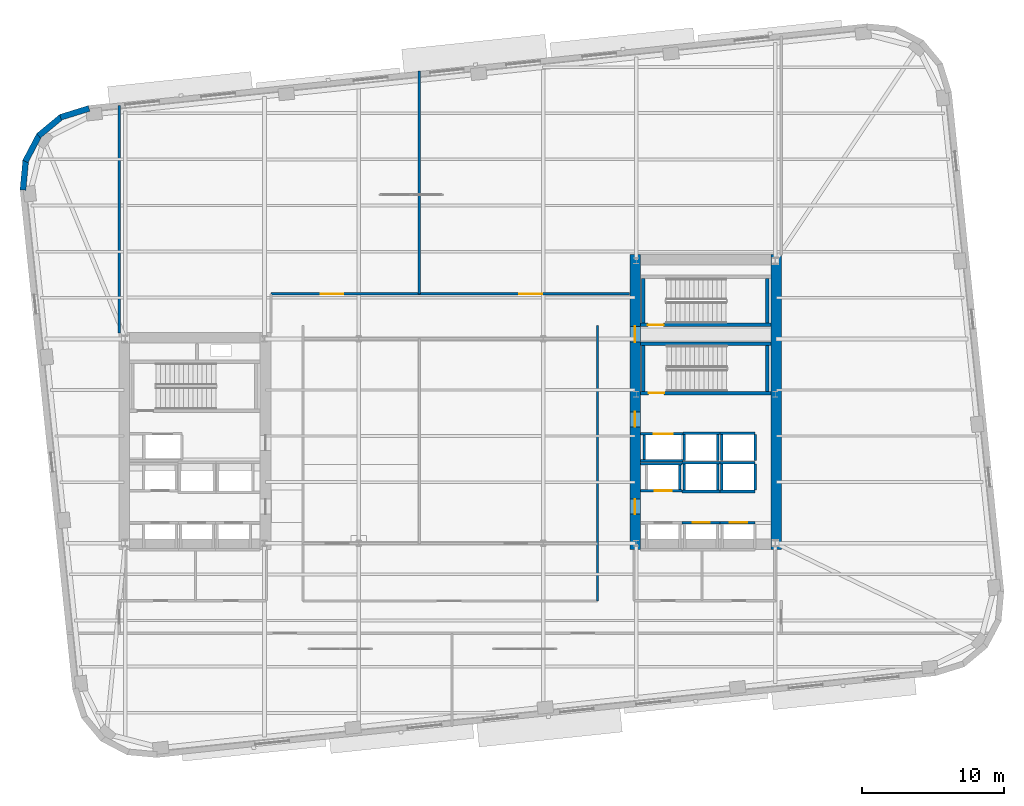
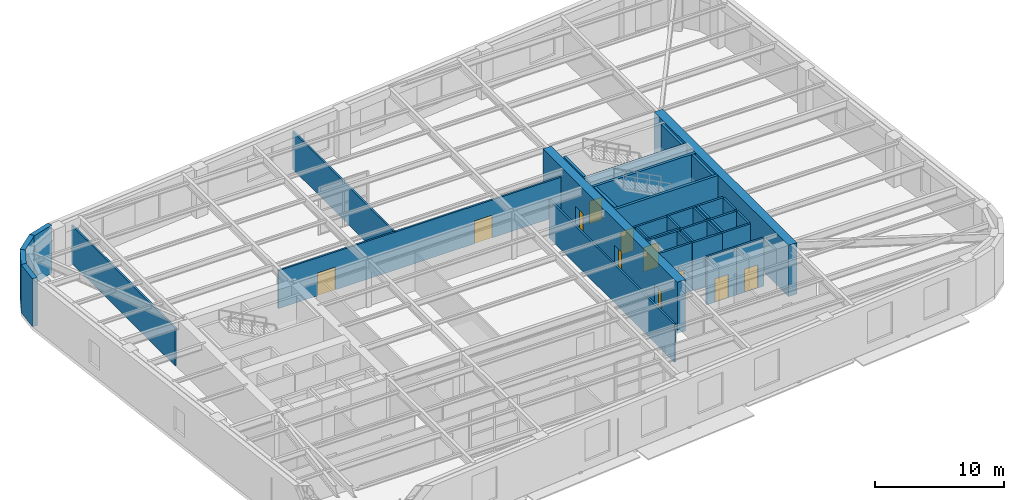
# One storey, part 9 of 14: 39 walls, 11 doors, 11 openings.
"""IFC4 building model written with IfcOpenShell, lengths in metres."""

from ifc_helpers import new_model, si_unit, direction, frame, frame_2d, origin, place, context, subcontext, project, spatial, rectangle, extrude, material, layer, layer_set, type_object, element, fill, save


model = new_model("IFC4")

# Units and contexts
model_context = context("Model", 3, precision=1e-05, world=origin(), true_north=direction((0.0, 1.0)))
body_context = subcontext(model_context, "Body", "Model", "MODEL_VIEW")
ifc_project = project(units=[si_unit("LENGTHUNIT", "METRE"), si_unit("AREAUNIT", "SQUARE_METRE"), si_unit("VOLUMEUNIT", "CUBIC_METRE"), si_unit("PLANEANGLEUNIT", "RADIAN"), si_unit("MASSUNIT", "GRAM", prefix="KILO")], contexts=[model_context])

# Site, building, storey
site_placement = place(None, origin())
site = spatial("IfcSite", under=ifc_project, at=site_placement, CompositionType="ELEMENT")
building_placement = place(site_placement, origin())
building = spatial("IfcBuilding", under=site, at=building_placement, Name="Kolvaren Arena Tower", CompositionType="ELEMENT")
storey_placement = place(building_placement, frame((0.0, 0.0, 125.949951171875)))
storey = spatial("IfcBuildingStorey", under=building, at=storey_placement, Name="L29", CompositionType="ELEMENT", Elevation=125.949951171875)

# Wall
ifc_material_1 = material(Name="Gypsum board acoustic assembly", Category="gypsum")
ifc_layer_1 = layer(ifc_material_1, 0.159912109375)
ifc_layer_set_1 = layer_set([ifc_layer_1], Name="Gypsum board acoustic assembly")
wall_type_1 = type_object("IfcWallType", Name="CORR-160", PredefinedType="PARTITIONING", material=ifc_layer_set_1)
wall_1_placement = place(storey_placement, frame((47.820068359375, 15.3798828125, 0.0), z_axis=(0.0, 0.0, 1.0), x_axis=(0.0, 1.0, 0.0)))
element("IfcWall", 1, at=wall_1_placement, inside=storey, type_object=wall_type_1, Name="Interior Partition Wall (L29)", PredefinedType="PARTITIONING", context=body_context, shape_type="SweptSolid", body=[
    extrude(rectangle(XDim=19.400146484375, YDim=0.159912109375, at=frame_2d((9.7001953125, 0.0))), origin(), (0.0, 0.0, 1.0), 3.590087890625),
])

# Wall, openings, doors
wall_2_placement = place(storey_placement, frame((24.820068359375, 37.02001953125, 0.0), z_axis=(0.0, 0.0, 1.0), x_axis=(1.0, 0.0, 0.0)))
wall_2 = element("IfcWall", 2, at=wall_2_placement, inside=storey, type_object=wall_type_1, Name="Interior Partition Wall (L29)", PredefinedType="PARTITIONING", context=body_context, shape_type="SweptSolid", body=[
    extrude(rectangle(XDim=25.260009765625, YDim=0.159912109375, at=frame_2d((12.6298828125, 0.0))), origin(), (0.0, 0.0, 1.0), 3.590087890625),
])
opening_1_placement = place(wall_2_placement, frame((3.5, 0.0, 0.0)))
opening_1 = element("IfcOpeningElement", 3, at=opening_1_placement, cuts=wall_2, Name="Opening D06", PredefinedType="OPENING", context=body_context, shape_type="SweptSolid", body=[
    extrude(rectangle(XDim=1.60009765625, YDim=2.14990234375, at=frame_2d((0.800048828125, 1.074951171875))), frame((0.0, 0.08984375, 0.0), z_axis=(0.0, -1.0, 0.0), x_axis=(1.0, 0.0, 0.0)), (0.0, 0.0, 1.0), 0.179931640625),
])
opening_2_placement = place(wall_2_placement, frame((17.5, 0.0, 0.0)))
opening_2 = element("IfcOpeningElement", 4, at=opening_2_placement, cuts=wall_2, Name="Opening D06", PredefinedType="OPENING", context=body_context, shape_type="SweptSolid", body=[
    extrude(rectangle(XDim=1.60009765625, YDim=2.14990234375, at=frame_2d((0.800048828125, 1.074951171875))), frame((0.0, 0.08984375, 0.0), z_axis=(0.0, -1.0, 0.0), x_axis=(1.0, 0.0, 0.0)), (0.0, 0.0, 1.0), 0.179931640625),
])
ifc_material_2 = material(Name="Glazed acoustic boardroom double door", Category="aluminium")
door_type_1 = type_object("IfcDoorType", Name="DOOR-MT-160", OperationType="DOUBLE_DOOR_SINGLE_SWING", PredefinedType="DOOR", material=ifc_material_2)
door_1_placement = place(opening_1_placement, origin())
door_1 = element("IfcDoor", 5, at=door_1_placement, inside=storey, type_object=door_type_1, Name="Wintergarden Door (L29)", OperationType="DOUBLE_DOOR_SINGLE_SWING", OverallHeight=2.14990234375, OverallWidth=1.60009765625, PredefinedType="DOOR", context=body_context, shape_type="SweptSolid", body=[
    extrude(rectangle(XDim=1.60009765625, YDim=2.14990234375, at=frame_2d((0.800048828125, 1.074951171875))), frame((0.0, 0.02490234375, 0.0), z_axis=(0.0, -1.0, 0.0), x_axis=(1.0, 0.0, 0.0)), (0.0, 0.0, 1.0), 0.050048828125),
])
fill(opening_1, door_1)
door_2_placement = place(opening_2_placement, origin())
door_2 = element("IfcDoor", 6, at=door_2_placement, inside=storey, type_object=door_type_1, Name="Catering Pantry Door (L29)", OperationType="DOUBLE_DOOR_SINGLE_SWING", OverallHeight=2.14990234375, OverallWidth=1.60009765625, PredefinedType="DOOR", context=body_context, shape_type="SweptSolid", body=[
    extrude(rectangle(XDim=1.60009765625, YDim=2.14990234375, at=frame_2d((0.800048828125, 1.074951171875))), frame((0.0, 0.02490234375, 0.0), z_axis=(0.0, -1.0, 0.0), x_axis=(1.0, 0.0, 0.0)), (0.0, 0.0, 1.0), 0.050048828125),
])
fill(opening_2, door_2)

# Walls
wall_3_placement = place(storey_placement, frame((35.27001953125, 37.02001953125, 0.0), z_axis=(0.0, 0.0, 1.0), x_axis=(0.0, 1.0, 0.0)))
element("IfcWall", 7, at=wall_3_placement, inside=storey, type_object=wall_type_1, Name="Interior Partition Wall (L29)", PredefinedType="PARTITIONING", context=body_context, shape_type="SweptSolid", body=[
    extrude(rectangle(XDim=15.720947265625, YDim=0.159912109375, at=frame_2d((7.8603515625, 0.0))), origin(), (0.0, 0.0, 1.0), 3.590087890625),
])
wall_4_placement = place(storey_placement, frame((14.1201171875, 34.25, 0.0), z_axis=(0.0, 0.0, 1.0), x_axis=(0.0, 1.0, 0.0)))
element("IfcWall", 8, at=wall_4_placement, inside=storey, type_object=wall_type_1, Name="Interior Partition Wall (L29)", PredefinedType="PARTITIONING", context=body_context, shape_type="SweptSolid", body=[
    extrude(rectangle(XDim=16.026611328125, YDim=0.159912109375, at=frame_2d((8.01318359375, 0.0))), origin(), (0.0, 0.0, 1.0), 3.590087890625),
])

# Wall, openings, doors
ifc_material_3 = material(Name="Concrete 70 MPa", Category="concrete")
ifc_layer_2 = layer(ifc_material_3, 0.75)
ifc_layer_set_2 = layer_set([ifc_layer_2], Name="Concrete 70 MPa")
wall_type_2 = type_object("IfcWallType", Name="CWALL-750", PredefinedType="SHEAR", material=ifc_layer_set_2)
wall_5_placement = place(storey_placement, frame((50.47509765625, 19.0, -0.31005859375), z_axis=(0.0, 0.0, 1.0), x_axis=(0.0, 1.0, 0.0)))
wall_5 = element("IfcWall", 9, at=wall_5_placement, inside=storey, type_object=wall_type_2, Name="Core Shear Wall EC-WEST (L29)", PredefinedType="SHEAR", context=body_context, shape_type="SweptSolid", body=[
    extrude(rectangle(XDim=20.800048828125, YDim=0.75, at=frame_2d((10.39990234375, 0.0))), origin(), (0.0, 0.0, 1.0), 4.840087890625),
])
opening_3_placement = place(wall_5_placement, frame((2.5, 0.0, 0.31005859375)))
opening_3 = element("IfcOpeningElement", 10, at=opening_3_placement, cuts=wall_5, Name="Opening D04", PredefinedType="OPENING", context=body_context, shape_type="SweptSolid", body=[
    extrude(rectangle(XDim=1.050048828125, YDim=2.14990234375, at=frame_2d((0.52490234375, 1.074951171875))), frame((0.0, 0.385009765625, 0.0), z_axis=(0.0, -1.0, 0.0), x_axis=(1.0, 0.0, 0.0)), (0.0, 0.0, 1.0), 0.77001953125),
])
opening_4_placement = place(wall_5_placement, frame((8.64990234375, 0.0, 0.31005859375)))
opening_4 = element("IfcOpeningElement", 11, at=opening_4_placement, cuts=wall_5, Name="Opening D04", PredefinedType="OPENING", context=body_context, shape_type="SweptSolid", body=[
    extrude(rectangle(XDim=1.050048828125, YDim=2.14990234375, at=frame_2d((0.52490234375, 1.074951171875))), frame((0.0, 0.385009765625, 0.0), z_axis=(0.0, -1.0, 0.0), x_axis=(1.0, 0.0, 0.0)), (0.0, 0.0, 1.0), 0.77001953125),
])
opening_5_placement = place(wall_5_placement, frame((14.6201171875, 0.0, 0.31005859375)))
opening_5 = element("IfcOpeningElement", 12, at=opening_5_placement, cuts=wall_5, Name="Opening D03", PredefinedType="OPENING", context=body_context, shape_type="SweptSolid", body=[
    extrude(rectangle(XDim=1.10009765625, YDim=2.14990234375, at=frame_2d((0.550048828125, 1.074951171875))), frame((0.0, 0.385009765625, 0.0), z_axis=(0.0, -1.0, 0.0), x_axis=(1.0, 0.0, 0.0)), (0.0, 0.0, 1.0), 0.77001953125),
])
ifc_material_4 = material(Name="Fire-rated steel lobby door", Category="steel")
door_type_2 = type_object("IfcDoorType", Name="DOOR-FF-105", OperationType="NOTDEFINED", PredefinedType="DOOR", material=ifc_material_4)
door_3_placement = place(opening_3_placement, origin())
door_3 = element("IfcDoor", 13, at=door_3_placement, inside=storey, type_object=door_type_2, Name="East Lift Lobby Fire Door (L29)", OperationType="SINGLE_SWING_RIGHT", OverallHeight=2.14990234375, OverallWidth=1.050048828125, PredefinedType="DOOR", context=body_context, shape_type="SweptSolid", body=[
    extrude(rectangle(XDim=1.050048828125, YDim=2.14990234375, at=frame_2d((0.52490234375, 1.074951171875))), frame((0.0, 0.02490234375, 0.0), z_axis=(0.0, -1.0, 0.0), x_axis=(1.0, 0.0, 0.0)), (0.0, 0.0, 1.0), 0.050048828125),
])
fill(opening_3, door_3)
door_4_placement = place(opening_4_placement, origin())
door_4 = element("IfcDoor", 14, at=door_4_placement, inside=storey, type_object=door_type_2, Name="East Firefighter Vestibule Door (L29)", OperationType="SINGLE_SWING_LEFT", OverallHeight=2.14990234375, OverallWidth=1.050048828125, PredefinedType="DOOR", context=body_context, shape_type="SweptSolid", body=[
    extrude(rectangle(XDim=1.050048828125, YDim=2.14990234375, at=frame_2d((0.52490234375, 1.074951171875))), frame((0.0, 0.02490234375, 0.0), z_axis=(0.0, -1.0, 0.0), x_axis=(1.0, 0.0, 0.0)), (0.0, 0.0, 1.0), 0.050048828125),
])
fill(opening_4, door_4)
ifc_material_5 = material(Name="Fire-rated steel exit stair door", Category="steel")
door_type_3 = type_object("IfcDoorType", Name="DOOR-ST-110", OperationType="NOTDEFINED", PredefinedType="DOOR", material=ifc_material_5)
door_5_placement = place(opening_5_placement, origin())
door_5 = element("IfcDoor", 15, at=door_5_placement, inside=storey, type_object=door_type_3, Name="Stair ST-E2 Vestibule Fire Door (L29)", OperationType="SINGLE_SWING_LEFT", OverallHeight=2.14990234375, OverallWidth=1.10009765625, PredefinedType="DOOR", context=body_context, shape_type="SweptSolid", body=[
    extrude(rectangle(XDim=1.10009765625, YDim=2.14990234375, at=frame_2d((0.550048828125, 1.074951171875))), frame((0.0, 0.02490234375, 0.0), z_axis=(0.0, -1.0, 0.0), x_axis=(1.0, 0.0, 0.0)), (0.0, 0.0, 1.0), 0.050048828125),
])
fill(opening_5, door_5)

# Walls
wall_6_placement = place(storey_placement, frame((60.425048828125, 19.0, -0.31005859375), z_axis=(0.0, 0.0, 1.0), x_axis=(0.0, 1.0, 0.0)))
element("IfcWall", 16, at=wall_6_placement, inside=storey, type_object=wall_type_2, Name="Core Shear Wall EC-EAST (L29)", PredefinedType="SHEAR", context=body_context, shape_type="SweptSolid", body=[
    extrude(rectangle(XDim=20.800048828125, YDim=0.75, at=frame_2d((10.39990234375, 0.0))), origin(), (0.0, 0.0, 1.0), 4.840087890625),
])
ifc_material_6 = material(Name="Precast concrete C50/60", Category="concrete")
ifc_layer_3 = layer(ifc_material_6, 0.419921875)
ifc_layer_set_3 = layer_set([ifc_layer_3], Name="Precast concrete C50/60")
wall_type_3 = type_object("IfcWallType", Name="EXT-PIER1", PredefinedType="SOLIDWALL", material=ifc_layer_set_3)
wall_7_placement = place(storey_placement, frame((9.98681640625, 49.463134765625, 0.0), z_axis=(0.0, 0.0, 1.0), x_axis=(0.955016613791, 0.296552301261, 0.0)))
element("IfcWall", 17, at=wall_7_placement, inside=storey, type_object=wall_type_3, Name="Exterior Precast Masonry-Frame Wall (L29)", PredefinedType="SOLIDWALL", context=body_context, shape_type="SweptSolid", body=[
    extrude(rectangle(XDim=2.106689453125, YDim=0.419921875, at=frame_2d((1.05322265625, 0.0))), origin(), (0.0, 0.0, 1.0), 4.530029296875),
])
wall_8_placement = place(storey_placement, frame((8.438720703125, 48.15478515625, 0.0), z_axis=(0.0, 0.0, 1.0), x_axis=(0.768800317178, 0.639488914921, 0.0)))
element("IfcWall", 18, at=wall_8_placement, inside=storey, type_object=wall_type_3, Name="Exterior Precast Masonry-Frame Wall (L29)", PredefinedType="SOLIDWALL", context=body_context, shape_type="SweptSolid", body=[
    extrude(rectangle(XDim=2.10693359375, YDim=0.419921875, at=frame_2d((1.053466796875, 0.0))), origin(), (0.0, 0.0, 1.0), 4.530029296875),
])
wall_9_placement = place(storey_placement, frame((7.50927734375, 46.35400390625, 0.0), z_axis=(0.0, 0.0, 1.0), x_axis=(0.465612698516, 0.884988595961, 0.0)))
element("IfcWall", 19, at=wall_9_placement, inside=storey, type_object=wall_type_3, Name="Exterior Precast Masonry-Frame Wall (L29)", PredefinedType="SOLIDWALL", context=body_context, shape_type="SweptSolid", body=[
    extrude(rectangle(XDim=2.106689453125, YDim=0.419921875, at=frame_2d((1.05322265625, 0.0))), origin(), (0.0, 0.0, 1.0), 4.530029296875),
])
wall_10_placement = place(storey_placement, frame((7.339599609375, 44.33447265625, 0.0), z_axis=(0.0, 0.0, 1.0), x_axis=(0.091538655308, 0.995801523691, 0.0)))
element("IfcWall", 20, at=wall_10_placement, inside=storey, type_object=wall_type_3, Name="Exterior Precast Masonry-Frame Wall (L29)", PredefinedType="SOLIDWALL", context=body_context, shape_type="SweptSolid", body=[
    extrude(rectangle(XDim=2.10693359375, YDim=0.419921875, at=frame_2d((1.053466796875, 0.0))), origin(), (0.0, 0.0, 1.0), 4.530029296875),
])

# Wall, opening, door
ifc_material_7 = material(Name="Concrete 45 MPa", Category="concrete")
ifc_layer_4 = layer(ifc_material_7, 0.25)
ifc_layer_set_4 = layer_set([ifc_layer_4], Name="Concrete 45 MPa")
wall_type_4 = type_object("IfcWallType", Name="SHAFT-250", PredefinedType="SOLIDWALL", material=ifc_layer_set_4)
wall_11_placement = place(storey_placement, frame((60.050048828125, 30.030029296875, 0.0), z_axis=(0.0, 0.0, 1.0), x_axis=(-1.0, 0.0, 0.0)))
wall_11 = element("IfcWall", 21, at=wall_11_placement, inside=storey, type_object=wall_type_4, Name="Core Shaft Wall (L29)", PredefinedType="SOLIDWALL", context=body_context, shape_type="SweptSolid", body=[
    extrude(rectangle(XDim=9.199951171875, YDim=0.239990234375, at=frame_2d((4.60009765625, 0.0))), origin(), (0.0, 0.0, 1.0), 4.530029296875),
])
opening_6_placement = place(wall_11_placement, frame((7.530029296875, 0.0, 0.0)))
opening_6 = element("IfcOpeningElement", 22, at=opening_6_placement, cuts=wall_11, Name="Opening D03", PredefinedType="OPENING", context=body_context, shape_type="SweptSolid", body=[
    extrude(rectangle(XDim=1.10009765625, YDim=2.14990234375, at=frame_2d((0.550048828125, 1.074951171875))), frame((0.0, 0.1298828125, 0.0), z_axis=(0.0, -1.0, 0.0), x_axis=(1.0, 0.0, 0.0)), (0.0, 0.0, 1.0), 0.260009765625),
])
door_6_placement = place(opening_6_placement, origin())
door_6 = element("IfcDoor", 23, at=door_6_placement, inside=storey, type_object=door_type_3, Name="Stair ST-E1 Fire Door (L29)", OperationType="SINGLE_SWING_LEFT", OverallHeight=2.14990234375, OverallWidth=1.10009765625, PredefinedType="DOOR", context=body_context, shape_type="SweptSolid", body=[
    extrude(rectangle(XDim=1.10009765625, YDim=2.14990234375, at=frame_2d((0.550048828125, 1.074951171875))), frame((0.0, 0.02490234375, 0.0), z_axis=(0.0, -1.0, 0.0), x_axis=(1.0, 0.0, 0.0)), (0.0, 0.0, 1.0), 0.050048828125),
])
fill(opening_6, door_6)

# Walls
wall_12_placement = place(storey_placement, frame((50.85009765625, 33.5, 0.0), z_axis=(0.0, 0.0, 1.0), x_axis=(1.0, 0.0, 0.0)))
element("IfcWall", 24, at=wall_12_placement, inside=storey, type_object=wall_type_4, Name="Core Shaft Wall (L29)", PredefinedType="SOLIDWALL", context=body_context, shape_type="SweptSolid", body=[
    extrude(rectangle(XDim=9.199951171875, YDim=0.239990234375, at=frame_2d((4.60009765625, 0.0))), origin(), (0.0, 0.0, 1.0), 4.530029296875),
])
for number, where, z_axis, x_axis, name in (
    (25, (51.06005859375, 30.14990234375, 0.0), (0.0, 0.0, 1.0), (0.0, 1.0, 0.0), "Core Shaft Wall (L29)"),
    (26, (59.780029296875, 30.14990234375, 0.0), (0.0, 0.0, 1.0), (0.0, 1.0, 0.0), "Core Shaft Wall (L29)"),
):
    element("IfcWall", number, at=place(storey_placement, frame(where, z_axis=z_axis, x_axis=x_axis)), inside=storey, type_object=wall_type_4, Name=name, PredefinedType="SOLIDWALL", context=body_context, shape_type="SweptSolid", body=[
        extrude(rectangle(XDim=3.22998046875, YDim=0.239990234375, at=frame_2d((1.614990234375, 0.0))), origin(), (0.0, 0.0, 1.0), 4.530029296875),
    ])

# Wall, opening, door
wall_13_placement = place(storey_placement, frame((60.050048828125, 34.830078125, 0.0), z_axis=(0.0, 0.0, 1.0), x_axis=(-1.0, 0.0, 0.0)))
wall_13 = element("IfcWall", 27, at=wall_13_placement, inside=storey, type_object=wall_type_4, Name="Core Shaft Wall (L29)", PredefinedType="SOLIDWALL", context=body_context, shape_type="SweptSolid", body=[
    extrude(rectangle(XDim=9.199951171875, YDim=0.239990234375, at=frame_2d((4.60009765625, 0.0))), origin(), (0.0, 0.0, 1.0), 4.530029296875),
])
opening_7_placement = place(wall_13_placement, frame((7.570068359375, 0.0, 0.0)))
opening_7 = element("IfcOpeningElement", 28, at=opening_7_placement, cuts=wall_13, Name="Opening D03", PredefinedType="OPENING", context=body_context, shape_type="SweptSolid", body=[
    extrude(rectangle(XDim=1.10009765625, YDim=2.14990234375, at=frame_2d((0.550048828125, 1.074951171875))), frame((0.0, 0.1298828125, 0.0), z_axis=(0.0, -1.0, 0.0), x_axis=(1.0, 0.0, 0.0)), (0.0, 0.0, 1.0), 0.260009765625),
])
door_7_placement = place(opening_7_placement, origin())
door_7 = element("IfcDoor", 29, at=door_7_placement, inside=storey, type_object=door_type_3, Name="Stair ST-E2 Fire Door (L29)", OperationType="SINGLE_SWING_LEFT", OverallHeight=2.14990234375, OverallWidth=1.10009765625, PredefinedType="DOOR", context=body_context, shape_type="SweptSolid", body=[
    extrude(rectangle(XDim=1.10009765625, YDim=2.14990234375, at=frame_2d((0.550048828125, 1.074951171875))), frame((0.0, 0.02490234375, 0.0), z_axis=(0.0, -1.0, 0.0), x_axis=(1.0, 0.0, 0.0)), (0.0, 0.0, 1.0), 0.050048828125),
])
fill(opening_7, door_7)

# Walls
for number, where, z_axis, x_axis, name in (
    (30, (51.06005859375, 34.949951171875, 0.0), (0.0, 0.0, 1.0), (0.0, 1.0, 0.0), "Core Shaft Wall (L29)"),
    (31, (59.780029296875, 34.949951171875, 0.0), (0.0, 0.0, 1.0), (0.0, 1.0, 0.0), "Core Shaft Wall (L29)"),
):
    element("IfcWall", number, at=place(storey_placement, frame(where, z_axis=z_axis, x_axis=x_axis)), inside=storey, type_object=wall_type_4, Name=name, PredefinedType="SOLIDWALL", context=body_context, shape_type="SweptSolid", body=[
        extrude(rectangle(XDim=3.150146484375, YDim=0.239990234375, at=frame_2d((1.5751953125, 0.0))), origin(), (0.0, 0.0, 1.0), 4.530029296875),
    ])

# Wall, opening, door
wall_14_placement = place(storey_placement, frame((53.7900390625, 20.905029296875, 0.0), z_axis=(0.0, 0.0, 1.0), x_axis=(1.0, 0.0, 0.0)))
wall_14 = element("IfcWall", 32, at=wall_14_placement, inside=storey, type_object=wall_type_4, Name="Core Shaft Wall (L29)", PredefinedType="SOLIDWALL", context=body_context, shape_type="SweptSolid", body=[
    extrude(rectangle(XDim=2.64990234375, YDim=0.179931640625, at=frame_2d((1.324951171875, 0.0))), origin(), (0.0, 0.0, 1.0), 4.530029296875),
])
opening_8_placement = place(wall_14_placement, frame((0.72998046875, 0.0, 0.0)))
opening_8 = element("IfcOpeningElement", 33, at=opening_8_placement, cuts=wall_14, Name="Opening LD1", PredefinedType="OPENING", context=body_context, shape_type="SweptSolid", body=[
    extrude(rectangle(XDim=1.199951171875, YDim=2.199951171875, at=frame_2d((0.60009765625, 1.10009765625))), frame((0.0, 0.099853515625, 0.0), z_axis=(0.0, -1.0, 0.0), x_axis=(1.0, 0.0, 0.0)), (0.0, 0.0, 1.0), 0.199951171875),
])
ifc_material_8 = material(Name="Stainless steel passenger lift landing door", Category="steel")
door_type_4 = type_object("IfcDoorType", Name="DOOR-LD-120", OperationType="DOUBLE_DOOR_SLIDING", PredefinedType="DOOR", material=ifc_material_8)
door_8_placement = place(opening_8_placement, origin())
door_8 = element("IfcDoor", 34, at=door_8_placement, inside=storey, type_object=door_type_4, Name="Lift EL-LR2 Landing Door (L29)", OperationType="DOUBLE_DOOR_SLIDING", OverallHeight=2.199951171875, OverallWidth=1.199951171875, PredefinedType="DOOR", context=body_context, shape_type="SweptSolid", body=[
    extrude(rectangle(XDim=1.199951171875, YDim=2.199951171875, at=frame_2d((0.60009765625, 1.10009765625))), frame((0.0, 0.02490234375, 0.0), z_axis=(0.0, -1.0, 0.0), x_axis=(1.0, 0.0, 0.0)), (0.0, 0.0, 1.0), 0.050048828125),
])
fill(opening_8, door_8)

wall_15_placement = place(storey_placement, frame((56.43994140625, 20.905029296875, 0.0), z_axis=(0.0, 0.0, 1.0), x_axis=(1.0, 0.0, 0.0)))
wall_15 = element("IfcWall", 35, at=wall_15_placement, inside=storey, type_object=wall_type_4, Name="Core Shaft Wall (L29)", PredefinedType="SOLIDWALL", context=body_context, shape_type="SweptSolid", body=[
    extrude(rectangle(XDim=2.47509765625, YDim=0.179931640625, at=frame_2d((1.237548828125, 0.0))), origin(), (0.0, 0.0, 1.0), 4.530029296875),
])
opening_9_placement = place(wall_15_placement, frame((0.719970703125, 0.0, 0.0)))
opening_9 = element("IfcOpeningElement", 36, at=opening_9_placement, cuts=wall_15, Name="Opening LD1", PredefinedType="OPENING", context=body_context, shape_type="SweptSolid", body=[
    extrude(rectangle(XDim=1.199951171875, YDim=2.199951171875, at=frame_2d((0.60009765625, 1.10009765625))), frame((0.0, 0.099853515625, 0.0), z_axis=(0.0, -1.0, 0.0), x_axis=(1.0, 0.0, 0.0)), (0.0, 0.0, 1.0), 0.199951171875),
])
door_9_placement = place(opening_9_placement, origin())
door_9 = element("IfcDoor", 37, at=door_9_placement, inside=storey, type_object=door_type_4, Name="Lift EL-LR3 Landing Door (L29)", OperationType="DOUBLE_DOOR_SLIDING", OverallHeight=2.199951171875, OverallWidth=1.199951171875, PredefinedType="DOOR", context=body_context, shape_type="SweptSolid", body=[
    extrude(rectangle(XDim=1.199951171875, YDim=2.199951171875, at=frame_2d((0.60009765625, 1.10009765625))), frame((0.0, 0.02490234375, 0.0), z_axis=(0.0, -1.0, 0.0), x_axis=(1.0, 0.0, 0.0)), (0.0, 0.0, 1.0), 0.050048828125),
])
fill(opening_9, door_9)

# Wall
wall_16_placement = place(storey_placement, frame((50.85009765625, 25.054931640625, 0.0), z_axis=(0.0, 0.0, 1.0), x_axis=(1.0, 0.0, 0.0)))
element("IfcWall", 38, at=wall_16_placement, inside=storey, type_object=wall_type_4, Name="Core Shaft Wall (L29)", PredefinedType="SOLIDWALL", context=body_context, shape_type="SweptSolid", body=[
    extrude(rectangle(XDim=2.927490234375, YDim=0.179931640625, at=frame_2d((1.4638671875, 0.0))), origin(), (0.0, 0.0, 1.0), 4.530029296875),
])

# Wall, opening, door
wall_17_placement = place(storey_placement, frame((50.85009765625, 23.14501953125, 0.0), z_axis=(0.0, 0.0, 1.0), x_axis=(1.0, 0.0, 0.0)))
wall_17 = element("IfcWall", 39, at=wall_17_placement, inside=storey, type_object=wall_type_4, Name="Core Shaft Wall (L29)", PredefinedType="SOLIDWALL", context=body_context, shape_type="SweptSolid", body=[
    extrude(rectangle(XDim=2.927490234375, YDim=0.179931640625, at=frame_2d((1.4638671875, 0.0))), origin(), (0.0, 0.0, 1.0), 4.530029296875),
])
opening_10_placement = place(wall_17_placement, frame((1.010009765625, 0.0, 0.0)))
opening_10 = element("IfcOpeningElement", 40, at=opening_10_placement, cuts=wall_17, Name="Opening LD1", PredefinedType="OPENING", context=body_context, shape_type="SweptSolid", body=[
    extrude(rectangle(XDim=1.199951171875, YDim=2.199951171875, at=frame_2d((0.60009765625, 1.10009765625))), frame((0.0, 0.099853515625, 0.0), z_axis=(0.0, -1.0, 0.0), x_axis=(1.0, 0.0, 0.0)), (0.0, 0.0, 1.0), 0.199951171875),
])
door_10_placement = place(opening_10_placement, origin())
door_10 = element("IfcDoor", 41, at=door_10_placement, inside=storey, type_object=door_type_4, Name="Lift EL-LR4 Landing Door (L29)", OperationType="DOUBLE_DOOR_SLIDING", OverallHeight=2.199951171875, OverallWidth=1.199951171875, PredefinedType="DOOR", context=body_context, shape_type="SweptSolid", body=[
    extrude(rectangle(XDim=1.199951171875, YDim=2.199951171875, at=frame_2d((0.60009765625, 1.10009765625))), frame((0.0, 0.02490234375, 0.0), z_axis=(0.0, -1.0, 0.0), x_axis=(1.0, 0.0, 0.0)), (0.0, 0.0, 1.0), 0.050048828125),
])
fill(opening_10, door_10)

# Walls
wall_18_placement = place(storey_placement, frame((53.614990234375, 23.235107421875, 0.0), z_axis=(0.0, 0.0, 1.0), x_axis=(0.0, 1.0, 0.0)))
element("IfcWall", 42, at=wall_18_placement, inside=storey, type_object=wall_type_4, Name="Core Shaft Wall (L29)", PredefinedType="SOLIDWALL", context=body_context, shape_type="SweptSolid", body=[
    extrude(rectangle(XDim=1.72998046875, YDim=0.179931640625, at=frame_2d((0.864990234375, 0.0))), origin(), (0.0, 0.0, 1.0), 4.530029296875),
])
for number, where, z_axis, x_axis, name in (
    (43, (53.777587890625, 25.10498046875, 0.0), (0.0, 0.0, 1.0), (1.0, 0.0, 0.0), "Core Shaft Wall (L29)"),
    (44, (53.777587890625, 23.094970703125, 0.0), (0.0, 0.0, 1.0), (1.0, 0.0, 0.0), "Core Shaft Wall (L29)"),
):
    element("IfcWall", number, at=place(storey_placement, frame(where, z_axis=z_axis, x_axis=x_axis)), inside=storey, type_object=wall_type_4, Name=name, PredefinedType="SOLIDWALL", context=body_context, shape_type="SweptSolid", body=[
        extrude(rectangle(XDim=2.662353515625, YDim=0.179931640625, at=frame_2d((1.3310546875, 0.0))), origin(), (0.0, 0.0, 1.0), 4.530029296875),
    ])
for number, where, z_axis, x_axis, name in (
    (45, (53.93994140625, 23.18505859375, 0.0), (0.0, 0.0, 1.0), (0.0, 1.0, 0.0), "Core Shaft Wall (L29)"),
    (46, (56.300048828125, 23.18505859375, 0.0), (0.0, 0.0, 1.0), (0.0, 1.0, 0.0), "Core Shaft Wall (L29)"),
):
    element("IfcWall", number, at=place(storey_placement, frame(where, z_axis=z_axis, x_axis=x_axis)), inside=storey, type_object=wall_type_4, Name=name, PredefinedType="SOLIDWALL", context=body_context, shape_type="SweptSolid", body=[
        extrude(rectangle(XDim=1.829833984375, YDim=0.179931640625, at=frame_2d((0.9150390625, 0.0))), origin(), (0.0, 0.0, 1.0), 4.530029296875),
    ])
for number, where, z_axis, x_axis, name in (
    (47, (56.43994140625, 25.10498046875, 0.0), (0.0, 0.0, 1.0), (1.0, 0.0, 0.0), "Core Shaft Wall (L29)"),
    (48, (56.43994140625, 23.094970703125, 0.0), (0.0, 0.0, 1.0), (1.0, 0.0, 0.0), "Core Shaft Wall (L29)"),
):
    element("IfcWall", number, at=place(storey_placement, frame(where, z_axis=z_axis, x_axis=x_axis)), inside=storey, type_object=wall_type_4, Name=name, PredefinedType="SOLIDWALL", context=body_context, shape_type="SweptSolid", body=[
        extrude(rectangle(XDim=2.5, YDim=0.179931640625, at=frame_2d((1.25, 0.0))), origin(), (0.0, 0.0, 1.0), 4.530029296875),
    ])
for number, where, z_axis, x_axis, name in (
    (49, (56.580078125, 23.18505859375, 0.0), (0.0, 0.0, 1.0), (0.0, 1.0, 0.0), "Core Shaft Wall (L29)"),
    (50, (58.93994140625, 23.18505859375, 0.0), (0.0, 0.0, 1.0), (0.0, 1.0, 0.0), "Core Shaft Wall (L29)"),
):
    element("IfcWall", number, at=place(storey_placement, frame(where, z_axis=z_axis, x_axis=x_axis)), inside=storey, type_object=wall_type_4, Name=name, PredefinedType="SOLIDWALL", context=body_context, shape_type="SweptSolid", body=[
        extrude(rectangle(XDim=1.829833984375, YDim=0.179931640625, at=frame_2d((0.9150390625, 0.0))), origin(), (0.0, 0.0, 1.0), 4.530029296875),
    ])
wall_19_placement = place(storey_placement, frame((53.864990234375, 27.205078125, 0.0), z_axis=(0.0, 0.0, 1.0), x_axis=(1.0, 0.0, 0.0)))
element("IfcWall", 51, at=wall_19_placement, inside=storey, type_object=wall_type_4, Name="Core Shaft Wall (L29)", PredefinedType="SOLIDWALL", context=body_context, shape_type="SweptSolid", body=[
    extrude(rectangle(XDim=2.574951171875, YDim=0.179931640625, at=frame_2d((1.28759765625, 0.0))), origin(), (0.0, 0.0, 1.0), 4.530029296875),
])
for number, where, z_axis, x_axis, name in (
    (52, (53.93994140625, 25.284912109375, 0.0), (0.0, 0.0, 1.0), (0.0, 1.0, 0.0), "Core Shaft Wall (L29)"),
    (53, (56.300048828125, 25.284912109375, 0.0), (0.0, 0.0, 1.0), (0.0, 1.0, 0.0), "Core Shaft Wall (L29)"),
):
    element("IfcWall", number, at=place(storey_placement, frame(where, z_axis=z_axis, x_axis=x_axis)), inside=storey, type_object=wall_type_4, Name=name, PredefinedType="SOLIDWALL", context=body_context, shape_type="SweptSolid", body=[
        extrude(rectangle(XDim=1.830078125, YDim=0.179931640625, at=frame_2d((0.9150390625, 0.0))), origin(), (0.0, 0.0, 1.0), 4.530029296875),
    ])
wall_20_placement = place(storey_placement, frame((56.43994140625, 27.205078125, 0.0), z_axis=(0.0, 0.0, 1.0), x_axis=(1.0, 0.0, 0.0)))
element("IfcWall", 54, at=wall_20_placement, inside=storey, type_object=wall_type_4, Name="Core Shaft Wall (L29)", PredefinedType="SOLIDWALL", context=body_context, shape_type="SweptSolid", body=[
    extrude(rectangle(XDim=2.5, YDim=0.179931640625, at=frame_2d((1.25, 0.0))), origin(), (0.0, 0.0, 1.0), 4.530029296875),
])
for number, where, z_axis, x_axis, name in (
    (55, (56.580078125, 25.284912109375, 0.0), (0.0, 0.0, 1.0), (0.0, 1.0, 0.0), "Core Shaft Wall (L29)"),
    (56, (58.93994140625, 25.284912109375, 0.0), (0.0, 0.0, 1.0), (0.0, 1.0, 0.0), "Core Shaft Wall (L29)"),
):
    element("IfcWall", number, at=place(storey_placement, frame(where, z_axis=z_axis, x_axis=x_axis)), inside=storey, type_object=wall_type_4, Name=name, PredefinedType="SOLIDWALL", context=body_context, shape_type="SweptSolid", body=[
        extrude(rectangle(XDim=1.830078125, YDim=0.179931640625, at=frame_2d((0.9150390625, 0.0))), origin(), (0.0, 0.0, 1.0), 4.530029296875),
    ])

# Wall, opening, door
wall_21_placement = place(storey_placement, frame((50.85009765625, 27.155029296875, 0.0), z_axis=(0.0, 0.0, 1.0), x_axis=(1.0, 0.0, 0.0)))
wall_21 = element("IfcWall", 57, at=wall_21_placement, inside=storey, type_object=wall_type_4, Name="Core Shaft Wall (L29)", PredefinedType="SOLIDWALL", context=body_context, shape_type="SweptSolid", body=[
    extrude(rectangle(XDim=3.014892578125, YDim=0.179931640625, at=frame_2d((1.50732421875, 0.0))), origin(), (0.0, 0.0, 1.0), 4.530029296875),
])
opening_11_placement = place(wall_21_placement, frame((0.93505859375, 0.0, 0.0)))
opening_11 = element("IfcOpeningElement", 58, at=opening_11_placement, cuts=wall_21, Name="Opening LD2", PredefinedType="OPENING", context=body_context, shape_type="SweptSolid", body=[
    extrude(rectangle(XDim=1.35009765625, YDim=2.300048828125, at=frame_2d((0.675048828125, 1.14990234375))), frame((0.0, 0.099853515625, 0.0), z_axis=(0.0, -1.0, 0.0), x_axis=(1.0, 0.0, 0.0)), (0.0, 0.0, 1.0), 0.199951171875),
])
ifc_material_9 = material(Name="Stainless steel firefighter lift landing door", Category="steel")
door_type_5 = type_object("IfcDoorType", Name="DOOR-LD-135", OperationType="DOUBLE_DOOR_SLIDING", PredefinedType="DOOR", material=ifc_material_9)
door_11_placement = place(opening_11_placement, origin())
door_11 = element("IfcDoor", 59, at=door_11_placement, inside=storey, type_object=door_type_5, Name="Firefighter Lift FF-E1 Landing Door (L29)", OperationType="DOUBLE_DOOR_SLIDING", OverallHeight=2.300048828125, OverallWidth=1.35009765625, PredefinedType="DOOR", context=body_context, shape_type="SweptSolid", body=[
    extrude(rectangle(XDim=1.35009765625, YDim=2.300048828125, at=frame_2d((0.675048828125, 1.14990234375))), frame((0.0, 0.02490234375, 0.0), z_axis=(0.0, -1.0, 0.0), x_axis=(1.0, 0.0, 0.0)), (0.0, 0.0, 1.0), 0.050048828125),
])
fill(opening_11, door_11)

# Walls
wall_22_placement = place(storey_placement, frame((50.85009765625, 25.2451171875, 0.0), z_axis=(0.0, 0.0, 1.0), x_axis=(1.0, 0.0, 0.0)))
element("IfcWall", 60, at=wall_22_placement, inside=storey, type_object=wall_type_4, Name="Core Shaft Wall (L29)", PredefinedType="SOLIDWALL", context=body_context, shape_type="SweptSolid", body=[
    extrude(rectangle(XDim=3.014892578125, YDim=0.179931640625, at=frame_2d((1.50732421875, 0.0))), origin(), (0.0, 0.0, 1.0), 4.530029296875),
])
wall_23_placement = place(storey_placement, frame((51.1298828125, 25.3349609375, 0.0), z_axis=(0.0, 0.0, 1.0), x_axis=(0.0, 1.0, 0.0)))
element("IfcWall", 61, at=wall_23_placement, inside=storey, type_object=wall_type_4, Name="Core Shaft Wall (L29)", PredefinedType="SOLIDWALL", context=body_context, shape_type="SweptSolid", body=[
    extrude(rectangle(XDim=1.72998046875, YDim=0.179931640625, at=frame_2d((0.864990234375, 0.0))), origin(), (0.0, 0.0, 1.0), 4.530029296875),
])

save(model, "model.ifc")
